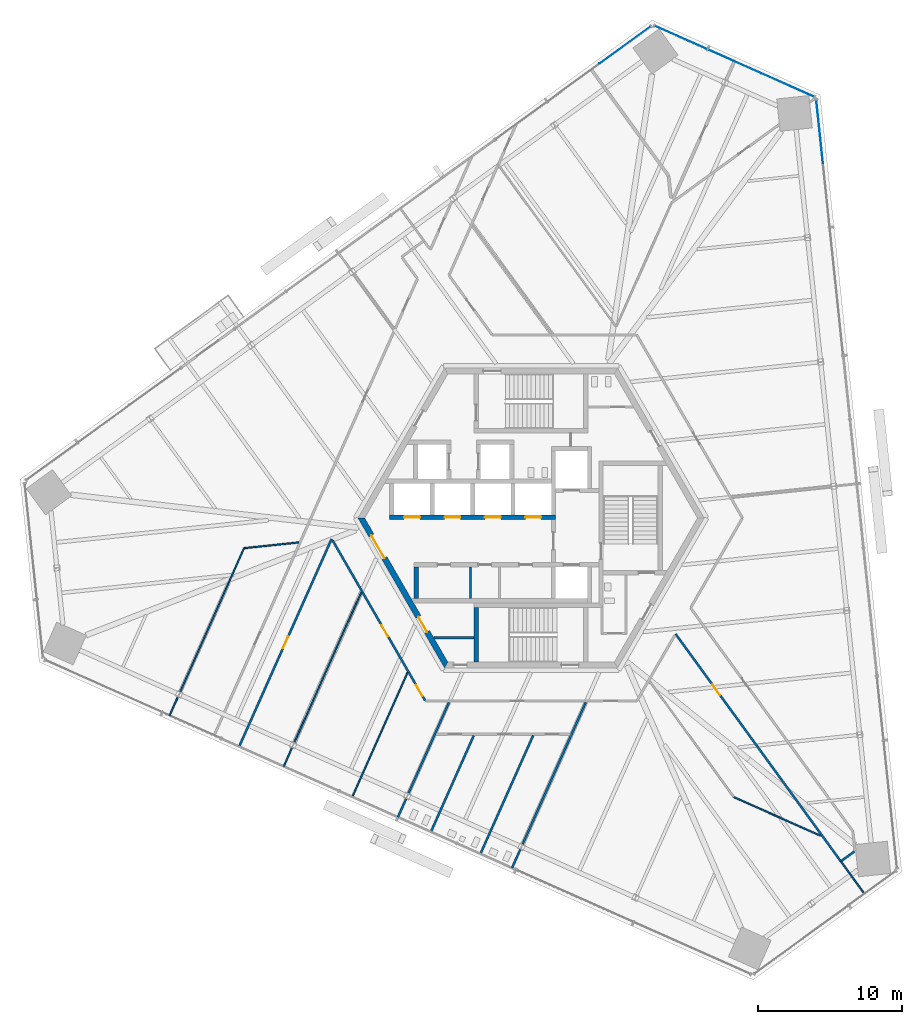
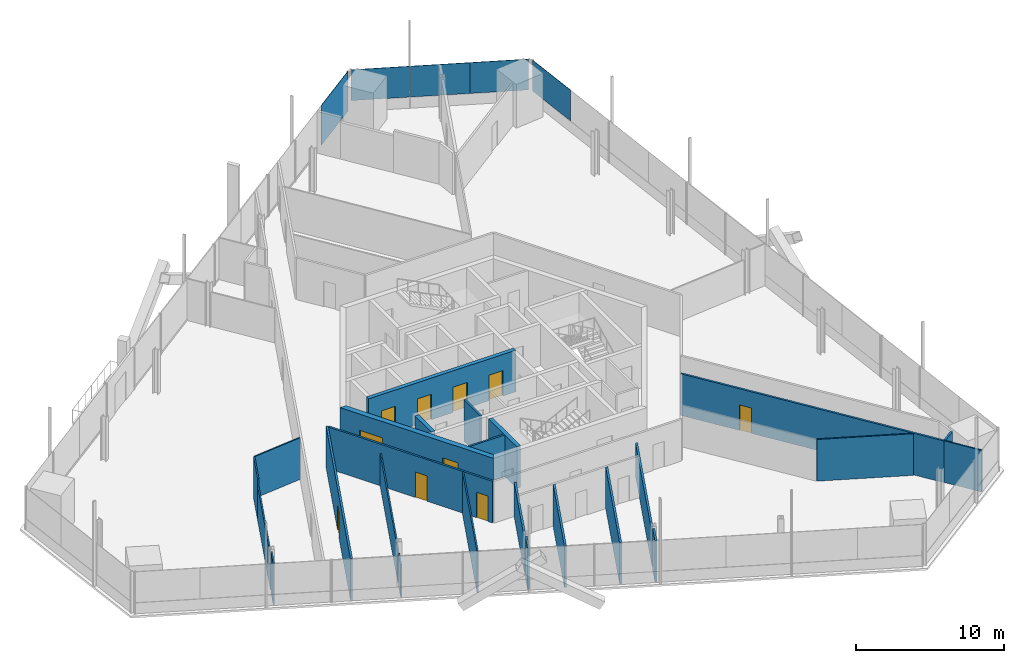
# One storey, part 11 of 21: 25 walls, 10 doors, 5 plates, 10 openings, 3 elements without a shape of their own.
"""IFC4 building model written with IfcOpenShell, lengths in metres."""

from ifc_helpers import new_model, si_unit, direction, frame, frame_2d, origin, origin_2d, place, context, subcontext, project, spatial, polyline, rectangle, outline, extrude, source, transform, mapped, material, layer, layer_set, type_object, element, fill, aggregate, save


model = new_model("IFC4")

# Units and contexts
model_context = context("Model", 3, precision=1e-05, world=origin(), true_north=direction((0.0, 1.0)))
body_context = subcontext(model_context, "Body", "Model", "MODEL_VIEW")
ifc_project = project(units=[si_unit("LENGTHUNIT", "METRE"), si_unit("AREAUNIT", "SQUARE_METRE"), si_unit("VOLUMEUNIT", "CUBIC_METRE"), si_unit("PLANEANGLEUNIT", "RADIAN"), si_unit("MASSUNIT", "GRAM", prefix="KILO")], contexts=[model_context])

# Site, building, storey
site_placement = place(None, origin())
site = spatial("IfcSite", under=ifc_project, at=site_placement, CompositionType="ELEMENT")
building_placement = place(site_placement, origin())
building = spatial("IfcBuilding", under=site, at=building_placement, Name="Triune Harvest Tower", CompositionType="ELEMENT")
storey_placement = place(building_placement, frame((0.0, 0.0, 72.89990234375)))
storey = spatial("IfcBuildingStorey", under=building, at=storey_placement, Name="L17", CompositionType="ELEMENT", Elevation=72.89990234375)

# Curtain wall, plates
ifc_material_1 = material(Name="Aluminium bronze anodised", Category="aluminium")
curtain_wall_type_1 = type_object("IfcCurtainWallType", Name="CW-1 Tower stick curtain wall", PredefinedType="NOTDEFINED", material=ifc_material_1)
curtain_wall_1_placement = place(storey_placement, origin())
curtain_wall_1 = element("IfcCurtainWall", 1, at=curtain_wall_1_placement, inside=storey, type_object=curtain_wall_type_1, Name="CW-1 B2-F2 L17 run 1")
ifc_material_2 = material(Name="Glass", Category="glass")
ifc_layer_1 = layer(ifc_material_2, 0.031982421875)
ifc_layer_set_1 = layer_set([ifc_layer_1], Name="Glass")
plate_type_1 = type_object("IfcPlateType", Name="GL-1 panel 32", PredefinedType="CURTAIN_PANEL", material=ifc_layer_set_1)
shared_shape_1 = source(origin(), body_context, "Body", "SweptSolid", [
    extrude(rectangle(XDim=3.99853515625, YDim=0.031982421875, at=origin_2d()), origin(), (0.0, 0.0, 1.0), 2.5400390625),
])
plate_1_placement = place(storey_placement, frame((17.783203125, 30.018798828125, 0.900146484375), z_axis=(0.0, 0.0, 1.0), x_axis=(-0.913546644034, 0.406733978386, 0.0)))
plate_1 = element("IfcPlate", 2, at=plate_1_placement, type_object=plate_type_1, Name="CW-1 panel B2-F2 1.1", PredefinedType="CURTAIN_PANEL", context=body_context, shape_type="MappedRepresentation", body=[
    mapped(shared_shape_1, transform((0.0, 0.0, 0.0), scale=1.0)),
])
shared_shape_2 = source(origin(), body_context, "Body", "SweptSolid", [
    extrude(rectangle(XDim=4.035888671875, YDim=0.031982421875, at=origin_2d()), origin(), (0.0, 0.0, 1.0), 2.5400390625),
])
plate_2_placement = place(storey_placement, frame((14.11328125, 31.65283203125, 0.900146484375), z_axis=(0.0, 0.0, 1.0), x_axis=(-0.913546644034, 0.406733978386, 0.0)))
plate_2 = element("IfcPlate", 3, at=plate_2_placement, type_object=plate_type_1, Name="CW-1 panel B2-F2 1.2", PredefinedType="CURTAIN_PANEL", context=body_context, shape_type="MappedRepresentation", body=[
    mapped(shared_shape_2, transform((0.0, 0.0, 0.0), scale=1.0)),
])
shared_shape_3 = source(origin(), body_context, "Body", "SweptSolid", [
    extrude(rectangle(XDim=3.9609375, YDim=0.031982421875, at=origin_2d()), origin(), (0.0, 0.0, 1.0), 2.5400390625),
])
plate_3_placement = place(storey_placement, frame((10.39208984375, 33.3095703125, 0.900146484375), z_axis=(0.0, 0.0, 1.0), x_axis=(-0.913546644034, 0.406733978386, 0.0)))
plate_3 = element("IfcPlate", 4, at=plate_3_placement, type_object=plate_type_1, Name="CW-1 panel B2-F2 1.3", PredefinedType="CURTAIN_PANEL", context=body_context, shape_type="MappedRepresentation", body=[
    mapped(shared_shape_3, transform((0.0, 0.0, 0.0), scale=1.0)),
])
aggregate(curtain_wall_1, [plate_1, plate_2, plate_3])

# Curtain wall, plate
ifc_material_3 = material(Name="Aluminium bronze anodised", Category="aluminium")
curtain_wall_type_2 = type_object("IfcCurtainWallType", Name="CW-6 Balcony window wall", PredefinedType="NOTDEFINED", material=ifc_material_3)
curtain_wall_2_placement = place(storey_placement, origin())
curtain_wall_2 = element("IfcCurtainWall", 5, at=curtain_wall_2_placement, inside=storey, type_object=curtain_wall_type_2, Name="CW-6 B2-F3 L17 run 1")
ifc_material_4 = material(Name="Glass", Category="glass")
ifc_layer_2 = layer(ifc_material_4, 0.030029296875)
ifc_layer_set_2 = layer_set([ifc_layer_2], Name="Glass")
plate_type_2 = type_object("IfcPlateType", Name="GL-6 panel 30", PredefinedType="CURTAIN_PANEL", material=ifc_layer_set_2)
shared_shape_4 = source(origin(), body_context, "Body", "SweptSolid", [
    extrude(rectangle(XDim=4.3994140625, YDim=0.030029296875, at=origin_2d()), origin(), (0.0, 0.0, 1.0), 3.2900390625),
])
plate_4_placement = place(storey_placement, frame((6.51904296875, 32.792236328125, 0.150146484375), z_axis=(0.0, 0.0, 1.0), x_axis=(-0.809017285622, -0.587784851425, 0.0)))
plate_4 = element("IfcPlate", 6, at=plate_4_placement, type_object=plate_type_2, Name="CW-6 panel B2-F3 1.1", PredefinedType="CURTAIN_PANEL", context=body_context, shape_type="MappedRepresentation", body=[
    mapped(shared_shape_4, transform((0.0, 0.0, 0.0), scale=1.0)),
])
aggregate(curtain_wall_2, [plate_4])

curtain_wall_3_placement = place(storey_placement, origin())
curtain_wall_3 = element("IfcCurtainWall", 7, at=curtain_wall_3_placement, inside=storey, type_object=curtain_wall_type_1, Name="CW-1 B2-F1 L17 run 2001")
shared_shape_5 = source(origin(), body_context, "Body", "SweptSolid", [
    extrude(rectangle(XDim=4.3955078125, YDim=0.031982421875, at=origin_2d()), origin(), (0.0, 0.0, 1.0), 2.5400390625),
])
plate_5_placement = place(storey_placement, frame((20.007080078125, 26.788818359375, 0.900146484375), z_axis=(0.0, 0.0, 1.0), x_axis=(-0.104527218444, 0.994522026204, 0.0)))
plate_5 = element("IfcPlate", 8, at=plate_5_placement, type_object=plate_type_1, Name="CW-1 panel B2-F1 2001.4", PredefinedType="CURTAIN_PANEL", context=body_context, shape_type="MappedRepresentation", body=[
    mapped(shared_shape_5, transform((0.0, 0.0, 0.0), scale=1.0)),
])
aggregate(curtain_wall_3, [plate_5])

# Wall, openings, doors
ifc_material_5 = material(Name="Gypsum board on steel studs", Category="steel")
ifc_layer_3 = layer(ifc_material_5, 0.14990234375)
ifc_layer_set_3 = layer_set([ifc_layer_3], Name="Gypsum board on steel studs")
wall_type_1 = type_object("IfcWallType", Name="Fire Partition 150 mm", PredefinedType="PARTITIONING", material=ifc_layer_set_3)
wall_1_placement = place(storey_placement, frame((-13.763916015625, -1.54443359375, 0.0), z_axis=(0.0, 0.0, 1.0), x_axis=(0.499988904517, -0.86603180967, 0.0)))
wall_1 = element("IfcWall", 9, at=wall_1_placement, inside=storey, type_object=wall_type_1, Name="Partition L17 003", PredefinedType="PARTITIONING", context=body_context, shape_type="SweptSolid", body=[
    extrude(rectangle(XDim=12.822509765625, YDim=0.14990234375, at=frame_2d((6.4111328125, 0.0))), origin(), (0.0, 0.0, 1.0), 3.440185546875),
])
opening_1_placement = place(wall_1_placement, frame((6.80908203125, 0.0, 0.0)))
opening_1 = element("IfcOpeningElement", 10, at=opening_1_placement, cuts=wall_1, Name="Opening L17-014", PredefinedType="OPENING", context=body_context, shape_type="SweptSolid", body=[
    extrude(rectangle(XDim=0.89990234375, YDim=2.10009765625, at=frame_2d((0.449951171875, 1.050048828125))), frame((0.0, 0.0849609375, 0.0), z_axis=(0.0, -1.0, 0.0), x_axis=(1.0, 0.0, 0.0)), (0.0, 0.0, 1.0), 0.169921875),
])
opening_2_placement = place(wall_1_placement, frame((11.583251953125, 0.0, 0.0)))
opening_2 = element("IfcOpeningElement", 11, at=opening_2_placement, cuts=wall_1, Name="Opening L17-015", PredefinedType="OPENING", context=body_context, shape_type="SweptSolid", body=[
    extrude(rectangle(XDim=0.89990234375, YDim=2.10009765625, at=frame_2d((0.449951171875, 1.050048828125))), frame((0.0, 0.0849609375, 0.0), z_axis=(0.0, -1.0, 0.0), x_axis=(1.0, 0.0, 0.0)), (0.0, 0.0, 1.0), 0.169921875),
])
ifc_material_6 = material(Name="Timber and steel door set", Category="steel")
door_type_1 = type_object("IfcDoorType", Name="Single leaf door FD30 left hand 900 x 2100", OperationType="SINGLE_SWING_LEFT", PredefinedType="DOOR", material=ifc_material_6)
door_1_placement = place(opening_1_placement, origin())
door_1 = element("IfcDoor", 12, at=door_1_placement, inside=storey, type_object=door_type_1, Name="Door L17-014 Office 17.14", OperationType="SINGLE_SWING_LEFT", OverallHeight=2.10009765625, OverallWidth=0.89990234375, PredefinedType="DOOR", context=body_context, shape_type="SweptSolid", body=[
    extrude(rectangle(XDim=0.89990234375, YDim=2.10009765625, at=frame_2d((0.449951171875, 1.050048828125))), frame((0.0, 0.02490234375, 0.0), z_axis=(0.0, -1.0, 0.0), x_axis=(1.0, 0.0, 0.0)), (0.0, 0.0, 1.0), 0.050048828125),
])
fill(opening_1, door_1)
door_2_placement = place(opening_2_placement, origin())
door_2 = element("IfcDoor", 13, at=door_2_placement, inside=storey, type_object=door_type_1, Name="Door L17-015 Meeting Room 17.15", OperationType="SINGLE_SWING_LEFT", OverallHeight=2.10009765625, OverallWidth=0.89990234375, PredefinedType="DOOR", context=body_context, shape_type="SweptSolid", body=[
    extrude(rectangle(XDim=0.89990234375, YDim=2.10009765625, at=frame_2d((0.449951171875, 1.050048828125))), frame((0.0, 0.02490234375, 0.0), z_axis=(0.0, -1.0, 0.0), x_axis=(1.0, 0.0, 0.0)), (0.0, 0.0, 1.0), 0.050048828125),
])
fill(opening_2, door_2)

# Wall, opening, door
wall_2_placement = place(storey_placement, frame((10.016845703125, -8.034912109375, 0.0), z_axis=(0.0, 0.0, 1.0), x_axis=(0.587767898483, -0.809029602371, 0.0)))
wall_2 = element("IfcWall", 14, at=wall_2_placement, inside=storey, type_object=wall_type_1, Name="Partition L17 009", PredefinedType="PARTITIONING", context=body_context, shape_type="SweptSolid", body=[
    extrude(rectangle(XDim=19.48828125, YDim=0.14990234375, at=frame_2d((9.744140625, 0.0))), origin(), (0.0, 0.0, 1.0), 3.440185546875),
])
opening_3_placement = place(wall_2_placement, frame((4.349853515625, 0.0, 0.0)))
opening_3 = element("IfcOpeningElement", 15, at=opening_3_placement, cuts=wall_2, Name="Opening L17-001", PredefinedType="OPENING", context=body_context, shape_type="SweptSolid", body=[
    extrude(rectangle(XDim=0.89990234375, YDim=2.10009765625, at=frame_2d((0.449951171875, 1.050048828125))), frame((0.0, 0.0849609375, 0.0), z_axis=(0.0, -1.0, 0.0), x_axis=(1.0, 0.0, 0.0)), (0.0, 0.0, 1.0), 0.169921875),
])
ifc_material_7 = material(Name="Timber and steel door set", Category="steel")
door_type_2 = type_object("IfcDoorType", Name="Single leaf door FD30 right hand 900 x 2100", OperationType="SINGLE_SWING_RIGHT", PredefinedType="DOOR", material=ifc_material_7)
door_3_placement = place(opening_3_placement, origin())
door_3 = element("IfcDoor", 16, at=door_3_placement, inside=storey, type_object=door_type_2, Name="Door L17-001 Dry Store Room 17.01", OperationType="SINGLE_SWING_RIGHT", OverallHeight=2.10009765625, OverallWidth=0.89990234375, PredefinedType="DOOR", context=body_context, shape_type="SweptSolid", body=[
    extrude(rectangle(XDim=0.89990234375, YDim=2.10009765625, at=frame_2d((0.449951171875, 1.050048828125))), frame((0.0, 0.02490234375, 0.0), z_axis=(0.0, -1.0, 0.0), x_axis=(1.0, 0.0, 0.0)), (0.0, 0.0, 1.0), 0.050048828125),
])
fill(opening_3, door_3)

# Walls
wall_3_placement = place(storey_placement, frame((21.51220703125, -23.771728515625, 0.0), z_axis=(0.0, 0.0, 1.0), x_axis=(0.809086668959, 0.5876893415, 0.0)))
element("IfcWall", 17, at=wall_3_placement, inside=storey, type_object=wall_type_1, Name="Partition L17 025", PredefinedType="PARTITIONING", context=body_context, shape_type="SweptSolid", body=[
    extrude(rectangle(XDim=1.11376953125, YDim=0.14990234375, at=frame_2d((0.556884765625, 0.0))), origin(), (0.0, 0.0, 1.0), 3.440185546875),
])
wall_4_placement = place(storey_placement, frame((-1.31884765625, -24.2587890625, 0.0), z_axis=(0.0, 0.0, 1.0), x_axis=(0.406697305895, 0.913562970669, 0.0)))
element("IfcWall", 18, at=wall_4_placement, inside=storey, type_object=wall_type_1, Name="Partition L17 031", PredefinedType="PARTITIONING", context=body_context, shape_type="SweptSolid", body=[
    extrude(rectangle(XDim=1.41845703125, YDim=0.14990234375, at=frame_2d((0.709228515625, 0.0))), origin(), (0.0, 0.0, 1.0), 3.440185546875),
])
wall_5_placement = place(storey_placement, frame((-3.51123046875, -23.282470703125, 0.0), z_axis=(0.0, 0.0, 1.0), x_axis=(0.406745977018, 0.913541301847, 0.0)))
element("IfcWall", 19, at=wall_5_placement, inside=storey, type_object=wall_type_1, Name="Partition L17 033", PredefinedType="PARTITIONING", context=body_context, shape_type="SweptSolid", body=[
    extrude(rectangle(XDim=8.98486328125, YDim=0.14990234375, at=frame_2d((4.492431640625, 0.0))), origin(), (0.0, 0.0, 1.0), 3.440185546875),
])
wall_6_placement = place(storey_placement, frame((-6.943603515625, -21.75439453125, 0.0), z_axis=(0.0, 0.0, 1.0), x_axis=(0.406737107151, 0.913545251023, 0.0)))
element("IfcWall", 20, at=wall_6_placement, inside=storey, type_object=wall_type_1, Name="Partition L17 034", PredefinedType="PARTITIONING", context=body_context, shape_type="SweptSolid", body=[
    extrude(rectangle(XDim=7.302001953125, YDim=0.14990234375, at=frame_2d((3.65087890625, 0.0))), origin(), (0.0, 0.0, 1.0), 3.440185546875),
])
wall_7_placement = place(storey_placement, frame((-9.231689453125, -20.735595703125, 0.0), z_axis=(0.0, 0.0, 1.0), x_axis=(0.40676126154, 0.913534496399, 0.0)))
element("IfcWall", 21, at=wall_7_placement, inside=storey, type_object=wall_type_1, Name="Partition L17 035", PredefinedType="PARTITIONING", context=body_context, shape_type="SweptSolid", body=[
    extrude(rectangle(XDim=1.418212890625, YDim=0.14990234375, at=frame_2d((0.708984375, 0.0))), origin(), (0.0, 0.0, 1.0), 3.440185546875),
])

# Wall, opening, door
wall_8_placement = place(storey_placement, frame((-20.23388671875, -15.8369140625, 0.0), z_axis=(0.0, 0.0, 1.0), x_axis=(0.406729584958, 0.913548600086, 0.0)))
wall_8 = element("IfcWall", 22, at=wall_8_placement, inside=storey, type_object=wall_type_1, Name="Partition L17 043", PredefinedType="PARTITIONING", context=body_context, shape_type="SweptSolid", body=[
    extrude(rectangle(XDim=15.74755859375, YDim=0.14990234375, at=frame_2d((7.873779296875, 0.0))), origin(), (0.0, 0.0, 1.0), 3.440185546875),
])
opening_4_placement = place(wall_8_placement, frame((7.449951171875, 0.0, 0.0)))
opening_4 = element("IfcOpeningElement", 23, at=opening_4_placement, cuts=wall_8, Name="Opening L17-013", PredefinedType="OPENING", context=body_context, shape_type="SweptSolid", body=[
    extrude(rectangle(XDim=0.89990234375, YDim=2.10009765625, at=frame_2d((0.449951171875, 1.050048828125))), frame((0.0, 0.0849609375, 0.0), z_axis=(0.0, -1.0, 0.0), x_axis=(1.0, 0.0, 0.0)), (0.0, 0.0, 1.0), 0.169921875),
])
door_4_placement = place(opening_4_placement, origin())
door_4 = element("IfcDoor", 24, at=door_4_placement, inside=storey, type_object=door_type_1, Name="Door L17-013 Project Room 17.13", OperationType="SINGLE_SWING_LEFT", OverallHeight=2.10009765625, OverallWidth=0.89990234375, PredefinedType="DOOR", context=body_context, shape_type="SweptSolid", body=[
    extrude(rectangle(XDim=0.89990234375, YDim=2.10009765625, at=frame_2d((0.449951171875, 1.050048828125))), frame((0.0, 0.02490234375, 0.0), z_axis=(0.0, -1.0, 0.0), x_axis=(1.0, 0.0, 0.0)), (0.0, 0.0, 1.0), 0.050048828125),
])
fill(opening_4, door_4)

# Walls
ifc_material_8 = material(Name="Gypsum board on steel studs", Category="steel")
ifc_layer_4 = layer(ifc_material_8, 0.10009765625)
ifc_layer_set_4 = layer_set([ifc_layer_4], Name="Gypsum board on steel studs")
wall_type_2 = type_object("IfcWallType", Name="Partition 100 mm", PredefinedType="PARTITIONING", material=ifc_layer_set_4)
wall_9_placement = place(storey_placement, frame((14.067626953125, -19.35400390625, 0.0), z_axis=(0.0, 0.0, 1.0), x_axis=(0.913553618775, -0.406718312378, 0.0)))
element("IfcWall", 25, at=wall_9_placement, inside=storey, type_object=wall_type_2, Name="Partition L17 018", PredefinedType="PARTITIONING", context=body_context, shape_type="SweptSolid", body=[
    extrude(rectangle(XDim=6.562255859375, YDim=0.10009765625, at=frame_2d((3.28125, 0.0))), origin(), (0.0, 0.0, 1.0), 3.440185546875),
])
wall_10_placement = place(storey_placement, frame((-19.875, -2.0888671875, 0.0), z_axis=(0.0, 0.0, 1.0), x_axis=(0.994525179628, 0.104497210903, 0.0)))
element("IfcWall", 26, at=wall_10_placement, inside=storey, type_object=wall_type_2, Name="Partition L17 022", PredefinedType="PARTITIONING", context=body_context, shape_type="SweptSolid", body=[
    extrude(rectangle(XDim=3.794189453125, YDim=0.10009765625, at=frame_2d((1.89697265625, 0.0))), origin(), (0.0, 0.0, 1.0), 3.440185546875),
])
wall_11_placement = place(storey_placement, frame((-12.397216796875, -19.326171875, 0.0), z_axis=(0.0, 0.0, 1.0), x_axis=(0.406724724292, 0.913550764134, 0.0)))
element("IfcWall", 27, at=wall_11_placement, inside=storey, type_object=wall_type_2, Name="Partition L17 040", PredefinedType="PARTITIONING", context=body_context, shape_type="SweptSolid", body=[
    extrude(rectangle(XDim=9.426513671875, YDim=0.10009765625, at=frame_2d((4.71337890625, 0.0))), origin(), (0.0, 0.0, 1.0), 3.440185546875),
])
wall_12_placement = place(storey_placement, frame((-25.05859375, -13.68896484375, 0.0), z_axis=(0.0, 0.0, 1.0), x_axis=(0.40676126154, 0.913534496399, 0.0)))
element("IfcWall", 28, at=wall_12_placement, inside=storey, type_object=wall_type_2, Name="Partition L17 048", PredefinedType="PARTITIONING", context=body_context, shape_type="SweptSolid", body=[
    extrude(rectangle(XDim=1.418212890625, YDim=0.10009765625, at=frame_2d((0.708984375, 0.0))), origin(), (0.0, 0.0, 1.0), 3.440185546875),
])
wall_13_placement = place(storey_placement, frame((-20.957275390625, -4.47705078125, 0.0), z_axis=(0.0, 0.0, 1.0), x_axis=(0.406719484736, 0.913553096835, 0.0)))
element("IfcWall", 29, at=wall_13_placement, inside=storey, type_object=wall_type_2, Name="Partition L17 049a", PredefinedType="PARTITIONING", context=body_context, shape_type="SweptSolid", body=[
    extrude(rectangle(XDim=2.61181640625, YDim=0.10009765625, at=frame_2d((1.305908203125, 0.0))), origin(), (0.0, 0.0, 1.0), 3.440185546875),
])

# Wall, openings, doors
ifc_material_9 = material(Name="Concrete 70 MPa", Category="concrete")
ifc_layer_5 = layer(ifc_material_9, 0.39990234375)
ifc_layer_set_5 = layer_set([ifc_layer_5], Name="Concrete 70 MPa")
wall_type_3 = type_object("IfcWallType", Name="Core wall 400", PredefinedType="SHEAR", material=ifc_layer_set_5)
shared_shape_6 = source(origin(), body_context, "Body", "SweptSolid", [
    extrude(outline(polyline([(-0.115478515625, -0.199951171875), (11.884521484375, -0.199951171875), (11.653564453125, 0.199951171875), (0.115478515625, 0.199951171875), (-0.115478515625, -0.199951171875)])), origin(), (0.0, 0.0, 1.0), 3.440185546875),
])
wall_14_placement = place(storey_placement, frame((-11.76904296875, 0.0, 0.0), z_axis=(0.0, 0.0, 1.0), x_axis=(0.499996592174, -0.866027371285, 0.0)))
wall_14 = element("IfcWall", 30, at=wall_14_placement, inside=storey, type_object=wall_type_3, Name="Hexagon 3 wall", PredefinedType="SHEAR", context=body_context, shape_type="MappedRepresentation", body=[
    mapped(shared_shape_6, transform((0.0, 0.0, 0.0), scale=1.0)),
])
opening_5_placement = place(wall_14_placement, frame((1.404541015625, 0.0, 0.0)))
opening_5 = element("IfcOpeningElement", 31, at=opening_5_placement, cuts=wall_14, Name="Opening CD-LS", PredefinedType="OPENING", context=body_context, shape_type="SweptSolid", body=[
    extrude(rectangle(XDim=1.800048828125, YDim=2.10009765625, at=frame_2d((0.89990234375, 1.050048828125))), frame((0.0, 0.2099609375, 0.0), z_axis=(0.0, -1.0, 0.0), x_axis=(1.0, 0.0, 0.0)), (0.0, 0.0, 1.0), 0.419921875),
])
opening_6_placement = place(wall_14_placement, frame((7.91455078125, 0.0, 0.0)))
opening_6 = element("IfcOpeningElement", 32, at=opening_6_placement, cuts=wall_14, Name="Opening CD-SWP", PredefinedType="OPENING", context=body_context, shape_type="SweptSolid", body=[
    extrude(rectangle(XDim=1.199951171875, YDim=2.10009765625, at=frame_2d((0.60009765625, 1.050048828125))), frame((0.0, 0.2099609375, 0.0), z_axis=(0.0, -1.0, 0.0), x_axis=(1.0, 0.0, 0.0)), (0.0, 0.0, 1.0), 0.419921875),
])
ifc_material_10 = material(Name="Steel S235", Category="steel")
door_type_3 = type_object("IfcDoorType", Name="Lobby door 1800 FD120", OperationType="DOUBLE_DOOR_DOUBLE_SWING", PredefinedType="DOOR", material=ifc_material_10)
door_5_placement = place(opening_5_placement, frame((1.800048828125, 0.0, 0.0), z_axis=(0.0, 0.0, 1.0), x_axis=(-1.0, 0.0, 0.0)))
door_5 = element("IfcDoor", 33, at=door_5_placement, inside=storey, type_object=door_type_3, Name="Door CD-LS", OperationType="DOUBLE_DOOR_DOUBLE_SWING", OverallHeight=2.10009765625, OverallWidth=1.800048828125, PredefinedType="DOOR", context=body_context, shape_type="SweptSolid", body=[
    extrude(rectangle(XDim=1.800048828125, YDim=2.10009765625, at=frame_2d((0.89990234375, 1.050048828125))), frame((0.0, 0.02490234375, 0.0), z_axis=(0.0, -1.0, 0.0), x_axis=(1.0, 0.0, 0.0)), (0.0, 0.0, 1.0), 0.050048828125),
])
fill(opening_5, door_5)
ifc_material_11 = material(Name="Steel S235", Category="steel")
door_type_4 = type_object("IfcDoorType", Name="Service door 1200 FD120", OperationType="SINGLE_SWING_LEFT", PredefinedType="DOOR", material=ifc_material_11)
door_6_placement = place(opening_6_placement, frame((1.199951171875, 0.0, 0.0), z_axis=(0.0, 0.0, 1.0), x_axis=(-1.0, 0.0, 0.0)))
door_6 = element("IfcDoor", 34, at=door_6_placement, inside=storey, type_object=door_type_4, Name="Door CD-SWP", OperationType="SINGLE_SWING_RIGHT", OverallHeight=2.10009765625, OverallWidth=1.199951171875, PredefinedType="DOOR", context=body_context, shape_type="SweptSolid", body=[
    extrude(rectangle(XDim=1.199951171875, YDim=2.10009765625, at=frame_2d((0.60009765625, 1.050048828125))), frame((0.0, 0.02490234375, 0.0), z_axis=(0.0, -1.0, 0.0), x_axis=(1.0, 0.0, 0.0)), (0.0, 0.0, 1.0), 0.050048828125),
])
fill(opening_6, door_6)

ifc_material_12 = material(Name="Concrete 70 MPa", Category="concrete")
ifc_layer_6 = layer(ifc_material_12, 0.300048828125)
ifc_layer_set_6 = layer_set([ifc_layer_6], Name="Concrete 70 MPa")
wall_type_4 = type_object("IfcWallType", Name="Core wall 300", PredefinedType="SHEAR", material=ifc_layer_set_6)
shared_shape_7 = source(origin(), body_context, "Body", "SweptSolid", [
    extrude(rectangle(XDim=11.5, YDim=0.300048828125, at=frame_2d((5.75, 0.0))), origin(), (0.0, 0.0, 1.0), 3.440185546875),
])
wall_15_placement = place(storey_placement, frame((-9.800048828125, 0.06005859375, 0.0), z_axis=(0.0, 0.0, 1.0), x_axis=(1.0, 0.0, 0.0)))
wall_15 = element("IfcWall", 35, at=wall_15_placement, inside=storey, type_object=wall_type_4, Name="North front wall", PredefinedType="SHEAR", context=body_context, shape_type="MappedRepresentation", body=[
    mapped(shared_shape_7, transform((0.0, 0.0, 0.0), scale=1.0)),
])
opening_7_placement = place(wall_15_placement, frame((1.0, 0.0, 0.0)))
opening_7 = element("IfcOpeningElement", 36, at=opening_7_placement, cuts=wall_15, Name="Opening LD-LR1-17", PredefinedType="OPENING", context=body_context, shape_type="SweptSolid", body=[
    extrude(rectangle(XDim=1.10009765625, YDim=2.10009765625, at=frame_2d((0.550048828125, 1.050048828125))), frame((0.0, 0.16015625, 0.0), z_axis=(0.0, -1.0, 0.0), x_axis=(1.0, 0.0, 0.0)), (0.0, 0.0, 1.0), 0.320068359375),
])
opening_8_placement = place(wall_15_placement, frame((3.800048828125, 0.0, 0.0)))
opening_8 = element("IfcOpeningElement", 37, at=opening_8_placement, cuts=wall_15, Name="Opening LD-LR2-17", PredefinedType="OPENING", context=body_context, shape_type="SweptSolid", body=[
    extrude(rectangle(XDim=1.10009765625, YDim=2.10009765625, at=frame_2d((0.550048828125, 1.050048828125))), frame((0.0, 0.16015625, 0.0), z_axis=(0.0, -1.0, 0.0), x_axis=(1.0, 0.0, 0.0)), (0.0, 0.0, 1.0), 0.320068359375),
])
opening_9_placement = place(wall_15_placement, frame((6.60009765625, 0.0, 0.0)))
opening_9 = element("IfcOpeningElement", 38, at=opening_9_placement, cuts=wall_15, Name="Opening LD-LR3-17", PredefinedType="OPENING", context=body_context, shape_type="SweptSolid", body=[
    extrude(rectangle(XDim=1.10009765625, YDim=2.10009765625, at=frame_2d((0.550048828125, 1.050048828125))), frame((0.0, 0.16015625, 0.0), z_axis=(0.0, -1.0, 0.0), x_axis=(1.0, 0.0, 0.0)), (0.0, 0.0, 1.0), 0.320068359375),
])
opening_10_placement = place(wall_15_placement, frame((9.39990234375, 0.0, 0.0)))
opening_10 = element("IfcOpeningElement", 39, at=opening_10_placement, cuts=wall_15, Name="Opening LD-LR4-17", PredefinedType="OPENING", context=body_context, shape_type="SweptSolid", body=[
    extrude(rectangle(XDim=1.10009765625, YDim=2.10009765625, at=frame_2d((0.550048828125, 1.050048828125))), frame((0.0, 0.16015625, 0.0), z_axis=(0.0, -1.0, 0.0), x_axis=(1.0, 0.0, 0.0)), (0.0, 0.0, 1.0), 0.320068359375),
])
ifc_material_13 = material(Name="Stainless steel AISI 304", Category="steel")
door_type_5 = type_object("IfcDoorType", Name="Landing door 1100 x 2100", OperationType="DOUBLE_DOOR_SLIDING", PredefinedType="DOOR", material=ifc_material_13)
door_7_placement = place(opening_7_placement, origin())
door_7 = element("IfcDoor", 40, at=door_7_placement, inside=storey, type_object=door_type_5, Name="Door LD-LR1-17", OperationType="DOUBLE_DOOR_SLIDING", OverallHeight=2.10009765625, OverallWidth=1.10009765625, PredefinedType="DOOR", context=body_context, shape_type="SweptSolid", body=[
    extrude(rectangle(XDim=1.10009765625, YDim=2.10009765625, at=frame_2d((0.550048828125, 1.050048828125))), frame((0.0, 0.02490234375, 0.0), z_axis=(0.0, -1.0, 0.0), x_axis=(1.0, 0.0, 0.0)), (0.0, 0.0, 1.0), 0.050048828125),
])
fill(opening_7, door_7)
door_8_placement = place(opening_8_placement, origin())
door_8 = element("IfcDoor", 41, at=door_8_placement, inside=storey, type_object=door_type_5, Name="Door LD-LR2-17", OperationType="DOUBLE_DOOR_SLIDING", OverallHeight=2.10009765625, OverallWidth=1.10009765625, PredefinedType="DOOR", context=body_context, shape_type="SweptSolid", body=[
    extrude(rectangle(XDim=1.10009765625, YDim=2.10009765625, at=frame_2d((0.550048828125, 1.050048828125))), frame((0.0, 0.02490234375, 0.0), z_axis=(0.0, -1.0, 0.0), x_axis=(1.0, 0.0, 0.0)), (0.0, 0.0, 1.0), 0.050048828125),
])
fill(opening_8, door_8)
door_9_placement = place(opening_9_placement, origin())
door_9 = element("IfcDoor", 42, at=door_9_placement, inside=storey, type_object=door_type_5, Name="Door LD-LR3-17", OperationType="DOUBLE_DOOR_SLIDING", OverallHeight=2.10009765625, OverallWidth=1.10009765625, PredefinedType="DOOR", context=body_context, shape_type="SweptSolid", body=[
    extrude(rectangle(XDim=1.10009765625, YDim=2.10009765625, at=frame_2d((0.550048828125, 1.050048828125))), frame((0.0, 0.02490234375, 0.0), z_axis=(0.0, -1.0, 0.0), x_axis=(1.0, 0.0, 0.0)), (0.0, 0.0, 1.0), 0.050048828125),
])
fill(opening_9, door_9)
door_10_placement = place(opening_10_placement, origin())
door_10 = element("IfcDoor", 43, at=door_10_placement, inside=storey, type_object=door_type_5, Name="Door LD-LR4-17", OperationType="DOUBLE_DOOR_SLIDING", OverallHeight=2.10009765625, OverallWidth=1.10009765625, PredefinedType="DOOR", context=body_context, shape_type="SweptSolid", body=[
    extrude(rectangle(XDim=1.10009765625, YDim=2.10009765625, at=frame_2d((0.550048828125, 1.050048828125))), frame((0.0, 0.02490234375, 0.0), z_axis=(0.0, -1.0, 0.0), x_axis=(1.0, 0.0, 0.0)), (0.0, 0.0, 1.0), 0.050048828125),
])
fill(opening_10, door_10)

# Walls
shared_shape_8 = source(origin(), body_context, "Body", "SweptSolid", [
    extrude(rectangle(XDim=2.2001953125, YDim=0.300048828125, at=frame_2d((1.10009765625, 0.0))), origin(), (0.0, 0.0, 1.0), 3.440185546875),
])
wall_16_placement = place(storey_placement, frame((-7.949951171875, -5.590087890625, 0.0), z_axis=(0.0, 0.0, 1.0), x_axis=(0.0, 1.0, 0.0)))
element("IfcWall", 44, at=wall_16_placement, inside=storey, type_object=wall_type_4, Name="South end west wall", PredefinedType="SHEAR", context=body_context, shape_type="MappedRepresentation", body=[
    mapped(shared_shape_8, transform((0.0, 0.0, 0.0), scale=1.0)),
])
shared_shape_9 = source(origin(), body_context, "Body", "SweptSolid", [
    extrude(outline(polyline([(3.800048828125, -0.14990234375), (-0.00439453125, -0.14990234375), (-0.00439453125, 0.14990234375), (3.800048828125, 0.14990234375), (3.800048828125, -0.14990234375)])), origin(), (0.0, 0.0, 1.0), 3.440185546875),
])
wall_17_placement = place(storey_placement, frame((-3.800048828125, -9.989990234375, 0.0), z_axis=(0.0, 0.0, 1.0), x_axis=(0.0, 1.0, 0.0)))
element("IfcWall", 45, at=wall_17_placement, inside=storey, type_object=wall_type_4, Name="Stair s west wall", PredefinedType="SHEAR", context=body_context, shape_type="MappedRepresentation", body=[
    mapped(shared_shape_9, transform((0.0, 0.0, 0.0), scale=1.0)),
])
ifc_material_14 = material(Name="Concrete masonry unit", Category="masonry")
ifc_layer_7 = layer(ifc_material_14, 0.14990234375)
ifc_layer_set_7 = layer_set([ifc_layer_7], Name="Concrete masonry unit")
wall_type_5 = type_object("IfcWallType", Name="Block partition 150", PredefinedType="PARTITIONING", material=ifc_layer_set_7)
shared_shape_10 = source(origin(), body_context, "Body", "SweptSolid", [
    extrude(rectangle(XDim=2.2001953125, YDim=0.14990234375, at=frame_2d((1.10009765625, 0.0))), origin(), (0.0, 0.0, 1.0), 3.440185546875),
])
wall_18_placement = place(storey_placement, frame((-4.199951171875, -5.590087890625, 0.0), z_axis=(0.0, 0.0, 1.0), x_axis=(0.0, 1.0, 0.0)))
element("IfcWall", 46, at=wall_18_placement, inside=storey, type_object=wall_type_5, Name="Row s part 1 wall", PredefinedType="PARTITIONING", context=body_context, shape_type="MappedRepresentation", body=[
    mapped(shared_shape_10, transform((0.0, 0.0, 0.0), scale=1.0)),
])
shared_shape_11 = source(origin(), body_context, "Body", "SweptSolid", [
    extrude(rectangle(XDim=2.777099609375, YDim=0.14990234375, at=frame_2d((1.388671875, 0.0))), origin(), (0.0, 0.0, 1.0), 3.440185546875),
])
wall_19_placement = place(storey_placement, frame((-6.72705078125, -8.300048828125, 0.0), z_axis=(0.0, 0.0, 1.0), x_axis=(1.0, 0.0, 0.0)))
element("IfcWall", 47, at=wall_19_placement, inside=storey, type_object=wall_type_5, Name="Sw part wall", PredefinedType="PARTITIONING", context=body_context, shape_type="MappedRepresentation", body=[
    mapped(shared_shape_11, transform((0.0, 0.0, 0.0), scale=1.0)),
])
shared_shape_12 = source(origin(), body_context, "Body", "SweptSolid", [
    extrude(rectangle(XDim=1.418212890625, YDim=0.10009765625, at=frame_2d((0.708984375, 0.0))), origin(), (0.0, 0.0, 1.0), 2.68310546875),
])
wall_20_placement = place(storey_placement, frame((-17.145263671875, -17.212158203125, 0.0), z_axis=(0.0, 0.0, 1.0), x_axis=(0.40676126154, 0.913534496399, 0.0)))
element("IfcWall", 48, at=wall_20_placement, inside=storey, type_object=wall_type_2, Name="Partition L17 041", PredefinedType="PARTITIONING", context=body_context, shape_type="MappedRepresentation", body=[
    mapped(shared_shape_12, transform((0.0, 0.0, 0.0), scale=1.0)),
])
shared_shape_13 = source(origin(), body_context, "Body", "SweptSolid", [
    extrude(rectangle(XDim=10.768798828125, YDim=0.14990234375, at=frame_2d((5.38427734375, 0.0))), origin(), (0.0, 0.0, 1.0), 2.7568359375),
])
wall_21_placement = place(storey_placement, frame((-0.58984375, -22.62158203125, 0.0), z_axis=(0.0, 0.0, 1.0), x_axis=(0.406737870943, 0.91354491096, 0.0)))
element("IfcWall", 49, at=wall_21_placement, inside=storey, type_object=wall_type_1, Name="Partition L17 032", PredefinedType="PARTITIONING", context=body_context, shape_type="MappedRepresentation", body=[
    mapped(shared_shape_13, transform((0.0, 0.0, 0.0), scale=1.0)),
])
shared_shape_14 = source(origin(), body_context, "Body", "SweptSolid", [
    extrude(rectangle(XDim=2.7802734375, YDim=0.10009765625, at=frame_2d((1.39013671875, 0.0))), origin(), (0.0, 0.0, 1.0), 3.440185546875),
])
wall_22_placement = place(storey_placement, frame((21.471435546875, -23.801513671875, 0.0), z_axis=(0.0, 0.0, 1.0), x_axis=(0.587806154415, -0.809001807682, 0.0)))
element("IfcWall", 50, at=wall_22_placement, inside=storey, type_object=wall_type_2, Name="Partition L17 010", PredefinedType="PARTITIONING", context=body_context, shape_type="MappedRepresentation", body=[
    mapped(shared_shape_14, transform((0.0, 0.0, 0.0), scale=1.0)),
])
shared_shape_15 = source(origin(), body_context, "Body", "SweptSolid", [
    extrude(rectangle(XDim=6.912353515625, YDim=0.14990234375, at=frame_2d((3.4560546875, 0.0))), origin(), (0.0, 0.0, 1.0), 2.827880859375),
])
wall_23_placement = place(storey_placement, frame((-8.502685546875, -19.0986328125, 0.0), z_axis=(0.0, 0.0, 1.0), x_axis=(0.406698760872, 0.913562322945, 0.0)))
element("IfcWall", 51, at=wall_23_placement, inside=storey, type_object=wall_type_1, Name="Partition L17 036", PredefinedType="PARTITIONING", context=body_context, shape_type="MappedRepresentation", body=[
    mapped(shared_shape_15, transform((0.0, 0.0, 0.0), scale=1.0)),
])
shared_shape_16 = source(origin(), body_context, "Body", "SweptSolid", [
    extrude(rectangle(XDim=11.41064453125, YDim=0.10009765625, at=frame_2d((5.705322265625, 0.0))), origin(), (0.0, 0.0, 1.0), 2.68310546875),
])
wall_24_placement = place(storey_placement, frame((-16.41650390625, -15.5751953125, 0.0), z_axis=(0.0, 0.0, 1.0), x_axis=(0.406737907723, 0.913544894584, 0.0)))
element("IfcWall", 52, at=wall_24_placement, inside=storey, type_object=wall_type_2, Name="Partition L17 042", PredefinedType="PARTITIONING", context=body_context, shape_type="MappedRepresentation", body=[
    mapped(shared_shape_16, transform((0.0, 0.0, 0.0), scale=1.0)),
])
shared_shape_17 = source(origin(), body_context, "Body", "SweptSolid", [
    extrude(rectangle(XDim=8.29150390625, YDim=0.10009765625, at=frame_2d((4.145751953125, 0.0))), origin(), (0.0, 0.0, 1.0), 2.827880859375),
])
wall_25_placement = place(storey_placement, frame((-24.329833984375, -12.0517578125, 0.0), z_axis=(0.0, 0.0, 1.0), x_axis=(0.406744870427, 0.913541794546, 0.0)))
element("IfcWall", 53, at=wall_25_placement, inside=storey, type_object=wall_type_2, Name="Partition L17 049", PredefinedType="PARTITIONING", context=body_context, shape_type="MappedRepresentation", body=[
    mapped(shared_shape_17, transform((0.0, 0.0, 0.0), scale=1.0)),
])

save(model, "model.ifc")
